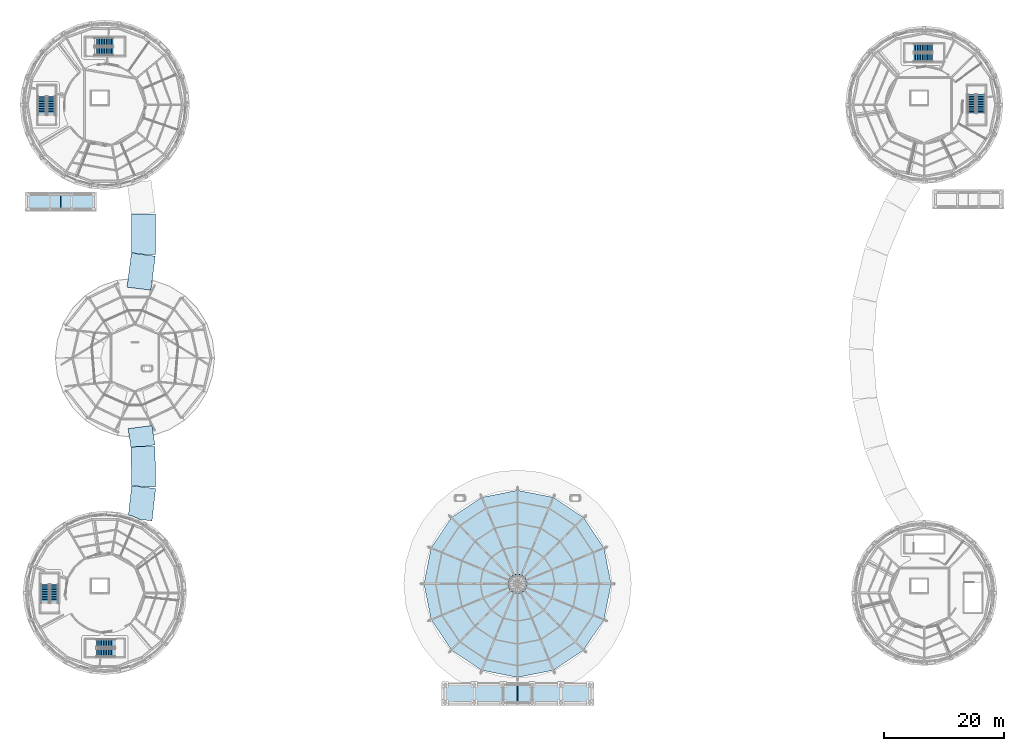
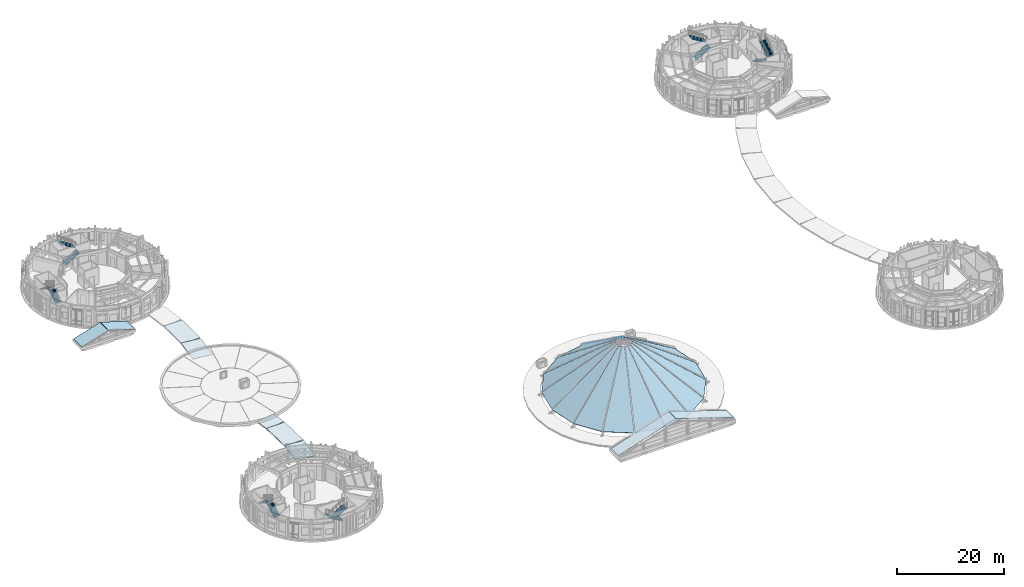
# One storey, part 44 of 58: 25 roofs, 12 stair flights, 6 elements without a shape of their own.
"""IFC4 building model written with IfcOpenShell, lengths in metres."""

from ifc_helpers import new_model, si_unit, direction, frame, origin, place, context, subcontext, project, spatial, polyline, outline, extrude, material, layer, layer_set, type_object, element, aggregate, save


model = new_model("IFC4")

# Units and contexts
model_context = context("Model", 3, precision=1e-05, world=origin(), true_north=direction((0.0, 1.0)))
body_context = subcontext(model_context, "Body", "Model", "MODEL_VIEW")
ifc_project = project(units=[si_unit("LENGTHUNIT", "METRE"), si_unit("AREAUNIT", "SQUARE_METRE"), si_unit("VOLUMEUNIT", "CUBIC_METRE"), si_unit("PLANEANGLEUNIT", "RADIAN"), si_unit("MASSUNIT", "GRAM", prefix="KILO")], contexts=[model_context])

# Site, building, storey
site_placement = place(None, origin())
site = spatial("IfcSite", under=ifc_project, at=site_placement, CompositionType="ELEMENT")
building_placement = place(site_placement, origin())
building = spatial("IfcBuilding", under=site, at=building_placement, Name="Aldenvaro Health Centre", CompositionType="ELEMENT")
storey_placement = place(building_placement, frame((0.0, 0.0, 8.75)))
storey = spatial("IfcBuildingStorey", under=building, at=storey_placement, Name="L02", CompositionType="ELEMENT", Elevation=8.75)

# Stair, stair flights
ifc_material_1 = material(Name="Concrete f'c 40 MPa", Category="concrete")
stair_type = type_object("IfcStairType", Name="STR-DOG-420", PredefinedType="HALF_TURN_STAIR", material=ifc_material_1)
stair_1_placement = place(storey_placement, origin())
stair_1 = element("IfcStair", 1, at=stair_1_placement, inside=storey, type_object=stair_type, Name="L02 Exit Stair ST-03", PredefinedType="HALF_TURN_STAIR")
stair_flight_type_1 = type_object("IfcStairFlightType", Name="STRF-01", PredefinedType="STRAIGHT", material=ifc_material_1)
stair_flight_1_placement = place(storey_placement, frame((162.375, 101.199951171875, 0.0), z_axis=(0.0, 0.0, 1.0), x_axis=(0.0, -1.0, 0.0)))
stair_flight_1 = element("IfcStairFlight", 2, at=stair_flight_1_placement, type_object=stair_flight_type_1, Name="ST-03 flight 1", NumberOfRisers=12, NumberOfTreads=11, PredefinedType="STRAIGHT", RiserHeight=0.175, TreadLength=0.28, context=body_context, shape_type="SweptSolid", body=[
    extrude(outline(polyline([(0.0, 0.0), (0.0, 0.175048828125), (0.280029296875, 0.175048828125), (0.280029296875, 0.35009765625), (0.56005859375, 0.35009765625), (0.56005859375, 0.52490234375), (0.840087890625, 0.52490234375), (0.840087890625, 0.699951171875), (1.1201171875, 0.699951171875), (1.1201171875, 0.875), (1.39990234375, 0.875), (1.39990234375, 1.050048828125), (1.679931640625, 1.050048828125), (1.679931640625, 1.22509765625), (1.9599609375, 1.22509765625), (1.9599609375, 1.39990234375), (2.239990234375, 1.39990234375), (2.239990234375, 1.574951171875), (2.52001953125, 1.574951171875), (2.52001953125, 1.75), (2.800048828125, 1.75), (2.800048828125, 1.925048828125), (3.080078125, 1.925048828125), (3.080078125, 2.10009765625), (3.080078125, 1.736328125), (0.3017578125, 0.0), (0.0, 0.0)])), frame((0.0, 0.675048828125, 0.0), z_axis=(0.0, -1.0, 0.0), x_axis=(1.0, 0.0, 0.0)), (0.0, 0.0, 1.0), 1.35009765625),
])
stair_flight_2_placement = place(storey_placement, frame((163.925048828125, 98.1201171875, 2.10009765625), z_axis=(0.0, 0.0, 1.0), x_axis=(0.0, 1.0, 0.0)))
stair_flight_2 = element("IfcStairFlight", 3, at=stair_flight_2_placement, type_object=stair_flight_type_1, Name="ST-03 flight 2", NumberOfRisers=12, NumberOfTreads=11, PredefinedType="STRAIGHT", RiserHeight=0.175, TreadLength=0.28, context=body_context, shape_type="SweptSolid", body=[
    extrude(outline(polyline([(0.0, 0.0), (0.0, 0.175048828125), (0.280029296875, 0.175048828125), (0.280029296875, 0.35009765625), (0.56005859375, 0.35009765625), (0.56005859375, 0.52490234375), (0.840087890625, 0.52490234375), (0.840087890625, 0.699951171875), (1.1201171875, 0.699951171875), (1.1201171875, 0.875), (1.39990234375, 0.875), (1.39990234375, 1.050048828125), (1.679931640625, 1.050048828125), (1.679931640625, 1.22509765625), (1.9599609375, 1.22509765625), (1.9599609375, 1.39990234375), (2.239990234375, 1.39990234375), (2.239990234375, 1.574951171875), (2.52001953125, 1.574951171875), (2.52001953125, 1.75), (2.800048828125, 1.75), (2.800048828125, 1.925048828125), (3.080078125, 1.925048828125), (3.080078125, 2.10009765625), (3.080078125, 1.736328125), (0.3017578125, 0.0), (0.0, 0.0)])), frame((0.0, 0.675048828125, 0.0), z_axis=(0.0, -1.0, 0.0), x_axis=(1.0, 0.0, 0.0)), (0.0, 0.0, 1.0), 1.35009765625),
])
aggregate(stair_1, [stair_flight_1, stair_flight_2])

stair_2_placement = place(storey_placement, origin())
stair_2 = element("IfcStair", 4, at=stair_2_placement, inside=storey, type_object=stair_type, Name="L02 Exit Stair ST-07", PredefinedType="HALF_TURN_STAIR")
stair_flight_3_placement = place(storey_placement, frame((16.800048828125, 108.375, 0.0), z_axis=(0.0, 0.0, 1.0), x_axis=(1.0, 0.0, 0.0)))
stair_flight_3 = element("IfcStairFlight", 5, at=stair_flight_3_placement, type_object=stair_flight_type_1, Name="ST-07 flight 1", NumberOfRisers=12, NumberOfTreads=11, PredefinedType="STRAIGHT", RiserHeight=0.175, TreadLength=0.28, context=body_context, shape_type="SweptSolid", body=[
    extrude(outline(polyline([(0.0, 0.0), (0.0, 0.175048828125), (0.280029296875, 0.175048828125), (0.280029296875, 0.35009765625), (0.56005859375, 0.35009765625), (0.56005859375, 0.52490234375), (0.840087890625, 0.52490234375), (0.840087890625, 0.699951171875), (1.1201171875, 0.699951171875), (1.1201171875, 0.875), (1.39990234375, 0.875), (1.39990234375, 1.050048828125), (1.679931640625, 1.050048828125), (1.679931640625, 1.22509765625), (1.9599609375, 1.22509765625), (1.9599609375, 1.39990234375), (2.239990234375, 1.39990234375), (2.239990234375, 1.574951171875), (2.52001953125, 1.574951171875), (2.52001953125, 1.75), (2.800048828125, 1.75), (2.800048828125, 1.925048828125), (3.080078125, 1.925048828125), (3.080078125, 2.10009765625), (3.080078125, 1.736328125), (0.3017578125, 0.0), (0.0, 0.0)])), frame((0.0, 0.675048828125, 0.0), z_axis=(0.0, -1.0, 0.0), x_axis=(1.0, 0.0, 0.0)), (0.0, 0.0, 1.0), 1.35009765625),
])
stair_flight_4_placement = place(storey_placement, frame((19.8798828125, 109.925048828125, 2.10009765625), z_axis=(0.0, 0.0, 1.0), x_axis=(-1.0, 0.0, 0.0)))
stair_flight_4 = element("IfcStairFlight", 6, at=stair_flight_4_placement, type_object=stair_flight_type_1, Name="ST-07 flight 2", NumberOfRisers=12, NumberOfTreads=11, PredefinedType="STRAIGHT", RiserHeight=0.175, TreadLength=0.28, context=body_context, shape_type="SweptSolid", body=[
    extrude(outline(polyline([(0.0, 0.0), (0.0, 0.175048828125), (0.280029296875, 0.175048828125), (0.280029296875, 0.35009765625), (0.56005859375, 0.35009765625), (0.56005859375, 0.52490234375), (0.840087890625, 0.52490234375), (0.840087890625, 0.699951171875), (1.1201171875, 0.699951171875), (1.1201171875, 0.875), (1.39990234375, 0.875), (1.39990234375, 1.050048828125), (1.679931640625, 1.050048828125), (1.679931640625, 1.22509765625), (1.9599609375, 1.22509765625), (1.9599609375, 1.39990234375), (2.239990234375, 1.39990234375), (2.239990234375, 1.574951171875), (2.52001953125, 1.574951171875), (2.52001953125, 1.75), (2.800048828125, 1.75), (2.800048828125, 1.925048828125), (3.080078125, 1.925048828125), (3.080078125, 2.10009765625), (3.080078125, 1.736328125), (0.3017578125, 0.0), (0.0, 0.0)])), frame((0.0, 0.675048828125, 0.0), z_axis=(0.0, -1.0, 0.0), x_axis=(1.0, 0.0, 0.0)), (0.0, 0.0, 1.0), 1.35009765625),
])
aggregate(stair_2, [stair_flight_3, stair_flight_4])

stair_3_placement = place(storey_placement, origin())
stair_3 = element("IfcStair", 7, at=stair_3_placement, inside=storey, type_object=stair_type, Name="L02 Exit Stair ST-09", PredefinedType="HALF_TURN_STAIR")
stair_flight_5_placement = place(storey_placement, frame((10.125, 16.800048828125, 0.0), z_axis=(0.0, 0.0, 1.0), x_axis=(0.0, 1.0, 0.0)))
stair_flight_5 = element("IfcStairFlight", 8, at=stair_flight_5_placement, type_object=stair_flight_type_1, Name="ST-09 flight 1", NumberOfRisers=12, NumberOfTreads=11, PredefinedType="STRAIGHT", RiserHeight=0.175, TreadLength=0.28, context=body_context, shape_type="SweptSolid", body=[
    extrude(outline(polyline([(0.0, 0.0), (0.0, 0.175048828125), (0.280029296875, 0.175048828125), (0.280029296875, 0.35009765625), (0.56005859375, 0.35009765625), (0.56005859375, 0.52490234375), (0.840087890625, 0.52490234375), (0.840087890625, 0.699951171875), (1.1201171875, 0.699951171875), (1.1201171875, 0.875), (1.39990234375, 0.875), (1.39990234375, 1.050048828125), (1.679931640625, 1.050048828125), (1.679931640625, 1.22509765625), (1.9599609375, 1.22509765625), (1.9599609375, 1.39990234375), (2.239990234375, 1.39990234375), (2.239990234375, 1.574951171875), (2.52001953125, 1.574951171875), (2.52001953125, 1.75), (2.800048828125, 1.75), (2.800048828125, 1.925048828125), (3.080078125, 1.925048828125), (3.080078125, 2.10009765625), (3.080078125, 1.736328125), (0.3017578125, 0.0), (0.0, 0.0)])), frame((0.0, 0.675048828125, 0.0), z_axis=(0.0, -1.0, 0.0), x_axis=(1.0, 0.0, 0.0)), (0.0, 0.0, 1.0), 1.35009765625),
])
stair_flight_6_placement = place(storey_placement, frame((8.574951171875, 19.8798828125, 2.10009765625), z_axis=(0.0, 0.0, 1.0), x_axis=(0.0, -1.0, 0.0)))
stair_flight_6 = element("IfcStairFlight", 9, at=stair_flight_6_placement, type_object=stair_flight_type_1, Name="ST-09 flight 2", NumberOfRisers=12, NumberOfTreads=11, PredefinedType="STRAIGHT", RiserHeight=0.175, TreadLength=0.28, context=body_context, shape_type="SweptSolid", body=[
    extrude(outline(polyline([(0.0, 0.0), (0.0, 0.175048828125), (0.280029296875, 0.175048828125), (0.280029296875, 0.35009765625), (0.56005859375, 0.35009765625), (0.56005859375, 0.52490234375), (0.840087890625, 0.52490234375), (0.840087890625, 0.699951171875), (1.1201171875, 0.699951171875), (1.1201171875, 0.875), (1.39990234375, 0.875), (1.39990234375, 1.050048828125), (1.679931640625, 1.050048828125), (1.679931640625, 1.22509765625), (1.9599609375, 1.22509765625), (1.9599609375, 1.39990234375), (2.239990234375, 1.39990234375), (2.239990234375, 1.574951171875), (2.52001953125, 1.574951171875), (2.52001953125, 1.75), (2.800048828125, 1.75), (2.800048828125, 1.925048828125), (3.080078125, 1.925048828125), (3.080078125, 2.10009765625), (3.080078125, 1.736328125), (0.3017578125, 0.0), (0.0, 0.0)])), frame((0.0, 0.675048828125, 0.0), z_axis=(0.0, -1.0, 0.0), x_axis=(1.0, 0.0, 0.0)), (0.0, 0.0, 1.0), 1.35009765625),
])
aggregate(stair_3, [stair_flight_5, stair_flight_6])

stair_4_placement = place(storey_placement, origin())
stair_4 = element("IfcStair", 10, at=stair_4_placement, inside=storey, type_object=stair_type, Name="L02 Exit Stair ST-04", PredefinedType="HALF_TURN_STAIR")
stair_flight_type_2 = type_object("IfcStairFlightType", Name="STRF-02", PredefinedType="STRAIGHT", material=ifc_material_1)
stair_flight_7_placement = place(storey_placement, frame((152.800048828125, 107.375, 0.0), z_axis=(0.0, 0.0, 1.0), x_axis=(1.0, 0.0, 0.0)))
stair_flight_7 = element("IfcStairFlight", 11, at=stair_flight_7_placement, type_object=stair_flight_type_2, Name="ST-04 flight 1", NumberOfRisers=12, NumberOfTreads=11, PredefinedType="STRAIGHT", RiserHeight=0.175, TreadLength=0.28, context=body_context, shape_type="SweptSolid", body=[
    extrude(outline(polyline([(0.0, 0.0), (0.0, 0.175048828125), (0.280029296875, 0.175048828125), (0.280029296875, 0.35009765625), (0.56005859375, 0.35009765625), (0.56005859375, 0.52490234375), (0.840087890625, 0.52490234375), (0.840087890625, 0.699951171875), (1.1201171875, 0.699951171875), (1.1201171875, 0.875), (1.39990234375, 0.875), (1.39990234375, 1.050048828125), (1.679931640625, 1.050048828125), (1.679931640625, 1.22509765625), (1.9599609375, 1.22509765625), (1.9599609375, 1.39990234375), (2.239990234375, 1.39990234375), (2.239990234375, 1.574951171875), (2.52001953125, 1.574951171875), (2.52001953125, 1.75), (2.800048828125, 1.75), (2.800048828125, 1.925048828125), (3.080078125, 1.925048828125), (3.080078125, 2.10009765625), (3.080078125, 1.736328125), (0.3017578125, 0.0), (0.0, 0.0)])), frame((0.0, 0.675048828125, 0.0), z_axis=(0.0, -1.0, 0.0), x_axis=(1.0, 0.0, 0.0)), (0.0, 0.0, 1.0), 1.35009765625),
])
stair_flight_8_placement = place(storey_placement, frame((155.8798828125, 108.925048828125, 2.10009765625), z_axis=(0.0, 0.0, 1.0), x_axis=(-1.0, 0.0, 0.0)))
stair_flight_8 = element("IfcStairFlight", 12, at=stair_flight_8_placement, type_object=stair_flight_type_2, Name="ST-04 flight 2", NumberOfRisers=12, NumberOfTreads=11, PredefinedType="STRAIGHT", RiserHeight=0.175, TreadLength=0.28, context=body_context, shape_type="SweptSolid", body=[
    extrude(outline(polyline([(0.0, 0.0), (0.0, 0.175048828125), (0.280029296875, 0.175048828125), (0.280029296875, 0.35009765625), (0.56005859375, 0.35009765625), (0.56005859375, 0.52490234375), (0.840087890625, 0.52490234375), (0.840087890625, 0.699951171875), (1.1201171875, 0.699951171875), (1.1201171875, 0.875), (1.39990234375, 0.875), (1.39990234375, 1.050048828125), (1.679931640625, 1.050048828125), (1.679931640625, 1.22509765625), (1.9599609375, 1.22509765625), (1.9599609375, 1.39990234375), (2.239990234375, 1.39990234375), (2.239990234375, 1.574951171875), (2.52001953125, 1.574951171875), (2.52001953125, 1.75), (2.800048828125, 1.75), (2.800048828125, 1.925048828125), (3.080078125, 1.925048828125), (3.080078125, 2.10009765625), (3.080078125, 1.736328125), (0.3017578125, 0.0), (0.0, 0.0)])), frame((0.0, 0.675048828125, 0.0), z_axis=(0.0, -1.0, 0.0), x_axis=(1.0, 0.0, 0.0)), (0.0, 0.0, 1.0), 1.35009765625),
])
aggregate(stair_4, [stair_flight_7, stair_flight_8])

stair_5_placement = place(storey_placement, origin())
stair_5 = element("IfcStair", 13, at=stair_5_placement, inside=storey, type_object=stair_type, Name="L02 Exit Stair ST-08", PredefinedType="HALF_TURN_STAIR")
stair_flight_9_placement = place(storey_placement, frame((9.625, 97.800048828125, 0.0), z_axis=(0.0, 0.0, 1.0), x_axis=(0.0, 1.0, 0.0)))
stair_flight_9 = element("IfcStairFlight", 14, at=stair_flight_9_placement, type_object=stair_flight_type_2, Name="ST-08 flight 1", NumberOfRisers=12, NumberOfTreads=11, PredefinedType="STRAIGHT", RiserHeight=0.175, TreadLength=0.28, context=body_context, shape_type="SweptSolid", body=[
    extrude(outline(polyline([(0.0, 0.0), (0.0, 0.175048828125), (0.280029296875, 0.175048828125), (0.280029296875, 0.35009765625), (0.56005859375, 0.35009765625), (0.56005859375, 0.52490234375), (0.840087890625, 0.52490234375), (0.840087890625, 0.699951171875), (1.1201171875, 0.699951171875), (1.1201171875, 0.875), (1.39990234375, 0.875), (1.39990234375, 1.050048828125), (1.679931640625, 1.050048828125), (1.679931640625, 1.22509765625), (1.9599609375, 1.22509765625), (1.9599609375, 1.39990234375), (2.239990234375, 1.39990234375), (2.239990234375, 1.574951171875), (2.52001953125, 1.574951171875), (2.52001953125, 1.75), (2.800048828125, 1.75), (2.800048828125, 1.925048828125), (3.080078125, 1.925048828125), (3.080078125, 2.10009765625), (3.080078125, 1.736328125), (0.3017578125, 0.0), (0.0, 0.0)])), frame((0.0, 0.675048828125, 0.0), z_axis=(0.0, -1.0, 0.0), x_axis=(1.0, 0.0, 0.0)), (0.0, 0.0, 1.0), 1.35009765625),
])
stair_flight_10_placement = place(storey_placement, frame((8.074951171875, 100.8798828125, 2.10009765625), z_axis=(0.0, 0.0, 1.0), x_axis=(0.0, -1.0, 0.0)))
stair_flight_10 = element("IfcStairFlight", 15, at=stair_flight_10_placement, type_object=stair_flight_type_2, Name="ST-08 flight 2", NumberOfRisers=12, NumberOfTreads=11, PredefinedType="STRAIGHT", RiserHeight=0.175, TreadLength=0.28, context=body_context, shape_type="SweptSolid", body=[
    extrude(outline(polyline([(0.0, 0.0), (0.0, 0.175048828125), (0.280029296875, 0.175048828125), (0.280029296875, 0.35009765625), (0.56005859375, 0.35009765625), (0.56005859375, 0.52490234375), (0.840087890625, 0.52490234375), (0.840087890625, 0.699951171875), (1.1201171875, 0.699951171875), (1.1201171875, 0.875), (1.39990234375, 0.875), (1.39990234375, 1.050048828125), (1.679931640625, 1.050048828125), (1.679931640625, 1.22509765625), (1.9599609375, 1.22509765625), (1.9599609375, 1.39990234375), (2.239990234375, 1.39990234375), (2.239990234375, 1.574951171875), (2.52001953125, 1.574951171875), (2.52001953125, 1.75), (2.800048828125, 1.75), (2.800048828125, 1.925048828125), (3.080078125, 1.925048828125), (3.080078125, 2.10009765625), (3.080078125, 1.736328125), (0.3017578125, 0.0), (0.0, 0.0)])), frame((0.0, 0.675048828125, 0.0), z_axis=(0.0, -1.0, 0.0), x_axis=(1.0, 0.0, 0.0)), (0.0, 0.0, 1.0), 1.35009765625),
])
aggregate(stair_5, [stair_flight_9, stair_flight_10])

stair_6_placement = place(storey_placement, origin())
stair_6 = element("IfcStair", 16, at=stair_6_placement, inside=storey, type_object=stair_type, Name="L02 Exit Stair ST-10", PredefinedType="HALF_TURN_STAIR")
stair_flight_11_placement = place(storey_placement, frame((20.199951171875, 10.125, 0.0), z_axis=(0.0, 0.0, 1.0), x_axis=(-1.0, 0.0, 0.0)))
stair_flight_11 = element("IfcStairFlight", 17, at=stair_flight_11_placement, type_object=stair_flight_type_2, Name="ST-10 flight 1", NumberOfRisers=12, NumberOfTreads=11, PredefinedType="STRAIGHT", RiserHeight=0.175, TreadLength=0.28, context=body_context, shape_type="SweptSolid", body=[
    extrude(outline(polyline([(0.0, 0.0), (0.0, 0.175048828125), (0.280029296875, 0.175048828125), (0.280029296875, 0.35009765625), (0.56005859375, 0.35009765625), (0.56005859375, 0.52490234375), (0.840087890625, 0.52490234375), (0.840087890625, 0.699951171875), (1.1201171875, 0.699951171875), (1.1201171875, 0.875), (1.39990234375, 0.875), (1.39990234375, 1.050048828125), (1.679931640625, 1.050048828125), (1.679931640625, 1.22509765625), (1.9599609375, 1.22509765625), (1.9599609375, 1.39990234375), (2.239990234375, 1.39990234375), (2.239990234375, 1.574951171875), (2.52001953125, 1.574951171875), (2.52001953125, 1.75), (2.800048828125, 1.75), (2.800048828125, 1.925048828125), (3.080078125, 1.925048828125), (3.080078125, 2.10009765625), (3.080078125, 1.736328125), (0.3017578125, 0.0), (0.0, 0.0)])), frame((0.0, 0.675048828125, 0.0), z_axis=(0.0, -1.0, 0.0), x_axis=(1.0, 0.0, 0.0)), (0.0, 0.0, 1.0), 1.35009765625),
])
stair_flight_12_placement = place(storey_placement, frame((17.1201171875, 8.574951171875, 2.10009765625), z_axis=(0.0, 0.0, 1.0), x_axis=(1.0, 0.0, 0.0)))
stair_flight_12 = element("IfcStairFlight", 18, at=stair_flight_12_placement, type_object=stair_flight_type_2, Name="ST-10 flight 2", NumberOfRisers=12, NumberOfTreads=11, PredefinedType="STRAIGHT", RiserHeight=0.175, TreadLength=0.28, context=body_context, shape_type="SweptSolid", body=[
    extrude(outline(polyline([(0.0, 0.0), (0.0, 0.175048828125), (0.280029296875, 0.175048828125), (0.280029296875, 0.35009765625), (0.56005859375, 0.35009765625), (0.56005859375, 0.52490234375), (0.840087890625, 0.52490234375), (0.840087890625, 0.699951171875), (1.1201171875, 0.699951171875), (1.1201171875, 0.875), (1.39990234375, 0.875), (1.39990234375, 1.050048828125), (1.679931640625, 1.050048828125), (1.679931640625, 1.22509765625), (1.9599609375, 1.22509765625), (1.9599609375, 1.39990234375), (2.239990234375, 1.39990234375), (2.239990234375, 1.574951171875), (2.52001953125, 1.574951171875), (2.52001953125, 1.75), (2.800048828125, 1.75), (2.800048828125, 1.925048828125), (3.080078125, 1.925048828125), (3.080078125, 2.10009765625), (3.080078125, 1.736328125), (0.3017578125, 0.0), (0.0, 0.0)])), frame((0.0, 0.675048828125, 0.0), z_axis=(0.0, -1.0, 0.0), x_axis=(1.0, 0.0, 0.0)), (0.0, 0.0, 1.0), 1.35009765625),
])
aggregate(stair_6, [stair_flight_11, stair_flight_12])

# Roofs
ifc_layer_1 = layer(ifc_material_1, 0.205078125, Name="Concrete f'c 40 MPa", Category="concrete")
ifc_layer_set_1 = layer_set([ifc_layer_1], Name="Concrete f'c 40 MPa")
roof_type_1 = type_object("IfcRoofType", Name="RF-FLAT-205", PredefinedType="FLAT_ROOF", material=ifc_layer_set_1)
roof_1_placement = place(storey_placement, origin())
element("IfcRoof", 19, at=roof_1_placement, inside=storey, type_object=roof_type_1, Name="West South Curved Garden Walkway Arc 1 flat roof", PredefinedType="FLAT_ROOF", context=body_context, shape_type="SweptSolid", body=[
    extrude(outline(polyline([(22.955078125, 36.278076171875), (26.930908203125, 35.8359375), (26.3330078125, 30.447998046875), (24.344970703125, 30.6689453125), (23.134033203125, 31.23291015625), (22.416015625, 31.425048828125), (22.955078125, 36.278076171875)])), origin(), (0.0, 0.0, 1.0), 0.06005859375),
])
roof_2_placement = place(storey_placement, origin())
element("IfcRoof", 20, at=roof_2_placement, inside=storey, type_object=roof_type_1, Name="West South Curved Garden Walkway Arc 2 flat roof", PredefinedType="FLAT_ROOF", context=body_context, shape_type="SweptSolid", body=[
    extrude(outline(polyline([(22.825927734375, 42.736083984375), (26.825927734375, 42.805908203125), (26.943115234375, 36.092041015625), (25.256103515625, 36.06201171875), (22.93798828125, 36.320068359375), (22.825927734375, 42.736083984375)])), origin(), (0.0, 0.0, 1.0), 0.06005859375),
])
roof_3_placement = place(storey_placement, origin())
element("IfcRoof", 21, at=roof_3_placement, inside=storey, type_object=roof_type_1, Name="West South Curved Garden Walkway Arc 3 flat roof", PredefinedType="FLAT_ROOF", context=body_context, shape_type="SweptSolid", body=[
    extrude(outline(polyline([(26.804931640625, 43.06103515625), (25.135986328125, 42.81591796875), (22.803955078125, 42.77587890625), (22.367919921875, 45.756103515625), (26.070068359375, 46.239990234375), (26.325927734375, 46.330078125), (26.804931640625, 43.06103515625)])), origin(), (0.0, 0.0, 1.0), 0.06005859375),
])
roof_4_placement = place(storey_placement, origin())
element("IfcRoof", 22, at=roof_4_placement, inside=storey, type_object=roof_type_1, Name="West North Curved Garden Walkway Arc 1 flat roof", PredefinedType="FLAT_ROOF", context=body_context, shape_type="SweptSolid", body=[
    extrude(outline(polyline([(22.178955078125, 69.23095703125), (22.908935546875, 74.89892578125), (26.876953125, 74.386962890625), (26.14794921875, 68.73291015625), (22.178955078125, 69.23095703125)])), origin(), (0.0, 0.0, 1.0), 0.06005859375),
])
roof_5_placement = place(storey_placement, origin())
element("IfcRoof", 23, at=roof_5_placement, inside=storey, type_object=roof_type_1, Name="West North Curved Garden Walkway Arc 2 flat roof", PredefinedType="FLAT_ROOF", context=body_context, shape_type="SweptSolid", body=[
    extrude(outline(polyline([(22.89306640625, 81.35693359375), (26.89306640625, 81.35693359375), (26.89306640625, 74.64306640625), (25.2060546875, 74.64306640625), (22.89306640625, 74.94091796875), (22.89306640625, 81.35693359375)])), origin(), (0.0, 0.0, 1.0), 0.06005859375),
])
ifc_material_2 = material(Name="Cross-laminated timber CLT E1", Category="wood")
ifc_layer_2 = layer(ifc_material_2, 0.239990234375, Name="Cross-laminated timber CLT E1", Category="wood")
ifc_layer_set_2 = layer_set([ifc_layer_2], Name="Cross-laminated timber CLT E1")
roof_type_2 = type_object("IfcRoofType", Name="RF-HIP-240", PredefinedType="HIP_ROOF", material=ifc_layer_set_2)
for number, where, z_axis, x_axis, name in (
    (24, (5.419921875, 81.85009765625, 1.06494140625), (-0.297240682512, 0.0, 0.954802585177), (0.954802585177, 0.0, 0.297240682512), "Bastion Portico N4 Terracotta Pediment Roof W"),
    (25, (11.22998046875, 81.85009765625, 2.85498046875), (0.297240682512, 0.0, 0.954802585177), (0.954802585177, 0.0, -0.297240682512), "Bastion Portico N4 Terracotta Pediment Roof E"),
):
    element("IfcRoof", number, at=place(storey_placement, frame(where, z_axis=z_axis, x_axis=x_axis)), inside=storey, type_object=roof_type_2, Name=name, PredefinedType="HIP_ROOF", context=body_context, shape_type="SweptSolid", body=[
        extrude(outline(polyline([(0.0, 0.0), (6.022187297425734, 0.0), (6.022187297425734, 3.099853515625), (0.0, 3.099853515625), (0.0, 0.0)])), origin(), (0.0, 0.0, -1.0), 0.054931640625),
    ])
for number, where, z_axis, x_axis, name in (
    (26, (74.550048828125, 0.35009765625, 1.429931640625), (-0.312555972438, 0.0, 0.94989934419), (0.94989934419, 0.0, 0.312555972438), "Neoclassical Portico West Pediment Slope Terracotta Pediment Roof"),
    (27, (87.050048828125, 0.35009765625, 5.510009765625), (0.312555972438, 0.0, 0.94989934419), (0.94989934419, 0.0, -0.312555972438), "Neoclassical Portico East Pediment Slope Terracotta Pediment Roof"),
):
    element("IfcRoof", number, at=place(storey_placement, frame(where, z_axis=z_axis, x_axis=x_axis)), inside=storey, type_object=roof_type_2, Name=name, PredefinedType="HIP_ROOF", context=body_context, shape_type="SweptSolid", body=[
        extrude(outline(polyline([(0.0, 0.0), (13.053911890335412, 0.0), (13.053911890335412, 2.760009765625), (0.0, 2.760009765625), (0.0, 0.0)])), origin(), (0.0, 0.0, -1.0), 0.06005859375),
    ])
ifc_layer_3 = layer(ifc_material_2, 0.280029296875, Name="Cross-laminated timber CLT E1", Category="wood")
ifc_layer_set_3 = layer_set([ifc_layer_3], Name="Cross-laminated timber CLT E1")
roof_type_3 = type_object("IfcRoofType", Name="RF-TRUSS-280", PredefinedType="GABLE_ROOF", material=ifc_layer_set_3)
roof_6_placement = place(storey_placement, frame((102.52001953125, 20.075927734375, 1.12109375), z_axis=(0.582438241072, 0.115944333114, 0.804563612746), x_axis=(-0.195224377282, 0.980758605587, -9.022968e-06)))
element("IfcRoof", 28, at=roof_6_placement, inside=storey, type_object=roof_type_3, Name="Waiting Rotunda Conical Standing-Seam Roof 01", PredefinedType="GABLE_ROOF", context=body_context, shape_type="SweptSolid", body=[
    extrude(outline(polyline([(0.0, 0.0), (5.906612531073507, -1.1102230246251565e-16), (3.257481591593891, 16.99712631904609), (2.652805993064616, 16.997027389152397), (0.0, 0.0)])), origin(), (0.0, 0.0, -1.0), 0.054931640625),
])
roof_7_placement = place(storey_placement, frame((101.30908203125, 26.009033203125, 1.12109375), z_axis=(0.493817172642, 0.329879400778, 0.80456459091), x_axis=(-0.555462345064, 0.831541690481, -1.4454811e-05)))
element("IfcRoof", 29, at=roof_7_placement, inside=storey, type_object=roof_type_3, Name="Waiting Rotunda Conical Standing-Seam Roof 02", PredefinedType="GABLE_ROOF", context=body_context, shape_type="SweptSolid", body=[
    extrude(outline(polyline([(0.0, 0.0), (5.906895929221431, 0.0), (3.2540504435387816, 16.997193962458763), (2.649107198533209, 16.997035462828197), (0.0, 0.0)])), origin(), (0.0, 0.0, -1.0), 0.054931640625),
])
roof_8_placement = place(storey_placement, frame((97.9208984375, 31.028076171875, 1.12109375), z_axis=(0.329879400778, 0.493817172642, 0.80456459091), x_axis=(-0.831541690481, 0.555462345064, 1.4454811e-05)))
element("IfcRoof", 30, at=roof_8_placement, inside=storey, type_object=roof_type_3, Name="Waiting Rotunda Conical Standing-Seam Roof 03", PredefinedType="GABLE_ROOF", context=body_context, shape_type="SweptSolid", body=[
    extrude(outline(polyline([(0.0, 0.0), (5.906895929221431, 0.0), (3.2577887306882203, 16.997035462828197), (2.6528454856826484, 16.997193962458763), (0.0, 0.0)])), origin(), (0.0, 0.0, -1.0), 0.054931640625),
])
roof_9_placement = place(storey_placement, frame((92.868896484375, 34.366943359375, 1.12109375), z_axis=(0.115944333114, 0.582438241072, 0.804563612746), x_axis=(-0.980758605587, 0.195224377282, 9.022968e-06)))
element("IfcRoof", 31, at=roof_9_placement, inside=storey, type_object=roof_type_3, Name="Waiting Rotunda Conical Standing-Seam Roof 04", PredefinedType="GABLE_ROOF", context=body_context, shape_type="SweptSolid", body=[
    extrude(outline(polyline([(0.0, 0.0), (5.906612531073507, 1.1102230246251565e-16), (3.253806538008891, 16.997027389152397), (2.649130939479616, 16.99712631904609), (0.0, 0.0)])), origin(), (0.0, 0.0, -1.0), 0.054931640625),
])
roof_10_placement = place(storey_placement, frame((86.924072265625, 35.52001953125, 1.12109375), z_axis=(-0.115944333114, 0.582438241072, 0.804563612746), x_axis=(-0.980758605587, -0.195224377282, -9.022968e-06)))
element("IfcRoof", 32, at=roof_10_placement, inside=storey, type_object=roof_type_3, Name="Waiting Rotunda Conical Standing-Seam Roof 05", PredefinedType="GABLE_ROOF", context=body_context, shape_type="SweptSolid", body=[
    extrude(outline(polyline([(0.0, 0.0), (5.906612531073507, -1.1102230246251565e-16), (3.257481591593891, 16.99712631904609), (2.652805993064616, 16.997027389152397), (0.0, 0.0)])), origin(), (0.0, 0.0, -1.0), 0.054931640625),
])
roof_11_placement = place(storey_placement, frame((80.990966796875, 34.30908203125, 1.12109375), z_axis=(-0.329879400778, 0.493817172642, 0.80456459091), x_axis=(-0.831541690481, -0.555462345064, -1.4454811e-05)))
element("IfcRoof", 33, at=roof_11_placement, inside=storey, type_object=roof_type_3, Name="Waiting Rotunda Conical Standing-Seam Roof 06", PredefinedType="GABLE_ROOF", context=body_context, shape_type="SweptSolid", body=[
    extrude(outline(polyline([(0.0, 0.0), (5.906895929221431, 0.0), (3.2540504435387816, 16.997193962458763), (2.649107198533209, 16.997035462828197), (0.0, 0.0)])), origin(), (0.0, 0.0, -1.0), 0.054931640625),
])
roof_12_placement = place(storey_placement, frame((75.971923828125, 30.9208984375, 1.12109375), z_axis=(-0.493817172642, 0.329879400778, 0.80456459091), x_axis=(-0.555462345064, -0.831541690481, 1.4454811e-05)))
element("IfcRoof", 34, at=roof_12_placement, inside=storey, type_object=roof_type_3, Name="Waiting Rotunda Conical Standing-Seam Roof 07", PredefinedType="GABLE_ROOF", context=body_context, shape_type="SweptSolid", body=[
    extrude(outline(polyline([(0.0, 0.0), (5.906895929221431, 0.0), (3.2577887306882203, 16.997035462828197), (2.6528454856826484, 16.997193962458763), (0.0, 0.0)])), origin(), (0.0, 0.0, -1.0), 0.054931640625),
])
roof_13_placement = place(storey_placement, frame((72.633056640625, 25.868896484375, 1.12109375), z_axis=(-0.582438241072, 0.115944333114, 0.804563612746), x_axis=(-0.195224377282, -0.980758605587, 9.022968e-06)))
element("IfcRoof", 35, at=roof_13_placement, inside=storey, type_object=roof_type_3, Name="Waiting Rotunda Conical Standing-Seam Roof 08", PredefinedType="GABLE_ROOF", context=body_context, shape_type="SweptSolid", body=[
    extrude(outline(polyline([(0.0, 0.0), (5.906612531073507, 1.1102230246251565e-16), (3.253806538008891, 16.997027389152397), (2.649130939479616, 16.99712631904609), (0.0, 0.0)])), origin(), (0.0, 0.0, -1.0), 0.054931640625),
])
roof_14_placement = place(storey_placement, frame((71.47998046875, 19.924072265625, 1.12109375), z_axis=(-0.582438241072, -0.115944333114, 0.804563612746), x_axis=(0.195224377282, -0.980758605587, -9.022968e-06)))
element("IfcRoof", 36, at=roof_14_placement, inside=storey, type_object=roof_type_3, Name="Waiting Rotunda Conical Standing-Seam Roof 09", PredefinedType="GABLE_ROOF", context=body_context, shape_type="SweptSolid", body=[
    extrude(outline(polyline([(0.0, 0.0), (5.906612531073507, -1.1102230246251565e-16), (3.257481591593891, 16.99712631904609), (2.652805993064616, 16.997027389152397), (0.0, 0.0)])), origin(), (0.0, 0.0, -1.0), 0.054931640625),
])
roof_15_placement = place(storey_placement, frame((72.69091796875, 13.990966796875, 1.12109375), z_axis=(-0.493817172642, -0.329879400778, 0.80456459091), x_axis=(0.555462345064, -0.831541690481, -1.4454811e-05)))
element("IfcRoof", 37, at=roof_15_placement, inside=storey, type_object=roof_type_3, Name="Waiting Rotunda Conical Standing-Seam Roof 10", PredefinedType="GABLE_ROOF", context=body_context, shape_type="SweptSolid", body=[
    extrude(outline(polyline([(0.0, 0.0), (5.906895929221431, 0.0), (3.2540504435387816, 16.997193962458763), (2.649107198533209, 16.997035462828197), (0.0, 0.0)])), origin(), (0.0, 0.0, -1.0), 0.054931640625),
])
roof_16_placement = place(storey_placement, frame((76.0791015625, 8.971923828125, 1.12109375), z_axis=(-0.329879400778, -0.493817172642, 0.80456459091), x_axis=(0.831541690481, -0.555462345064, 1.4454811e-05)))
element("IfcRoof", 38, at=roof_16_placement, inside=storey, type_object=roof_type_3, Name="Waiting Rotunda Conical Standing-Seam Roof 11", PredefinedType="GABLE_ROOF", context=body_context, shape_type="SweptSolid", body=[
    extrude(outline(polyline([(0.0, 0.0), (5.906895929221431, 0.0), (3.2577887306882203, 16.997035462828197), (2.6528454856826484, 16.997193962458763), (0.0, 0.0)])), origin(), (0.0, 0.0, -1.0), 0.054931640625),
])
roof_17_placement = place(storey_placement, frame((81.131103515625, 5.633056640625, 1.12109375), z_axis=(-0.115944333114, -0.582438241072, 0.804563612746), x_axis=(0.980758605587, -0.195224377282, 9.022968e-06)))
element("IfcRoof", 39, at=roof_17_placement, inside=storey, type_object=roof_type_3, Name="Waiting Rotunda Conical Standing-Seam Roof 12", PredefinedType="GABLE_ROOF", context=body_context, shape_type="SweptSolid", body=[
    extrude(outline(polyline([(0.0, 0.0), (5.906612531073507, 1.1102230246251565e-16), (3.253806538008891, 16.997027389152397), (2.649130939479616, 16.99712631904609), (0.0, 0.0)])), origin(), (0.0, 0.0, -1.0), 0.054931640625),
])
roof_18_placement = place(storey_placement, frame((87.075927734375, 4.47998046875, 1.12109375), z_axis=(0.115944333114, -0.582438241072, 0.804563612746), x_axis=(0.980758605587, 0.195224377282, -9.022968e-06)))
element("IfcRoof", 40, at=roof_18_placement, inside=storey, type_object=roof_type_3, Name="Waiting Rotunda Conical Standing-Seam Roof 13", PredefinedType="GABLE_ROOF", context=body_context, shape_type="SweptSolid", body=[
    extrude(outline(polyline([(0.0, 0.0), (5.906612531073507, -1.1102230246251565e-16), (3.257481591593891, 16.99712631904609), (2.652805993064616, 16.997027389152397), (0.0, 0.0)])), origin(), (0.0, 0.0, -1.0), 0.054931640625),
])
roof_19_placement = place(storey_placement, frame((93.009033203125, 5.69091796875, 1.12109375), z_axis=(0.329879400778, -0.493817172642, 0.80456459091), x_axis=(0.831541690481, 0.555462345064, -1.4454811e-05)))
element("IfcRoof", 41, at=roof_19_placement, inside=storey, type_object=roof_type_3, Name="Waiting Rotunda Conical Standing-Seam Roof 14", PredefinedType="GABLE_ROOF", context=body_context, shape_type="SweptSolid", body=[
    extrude(outline(polyline([(0.0, 0.0), (5.906895929221431, 0.0), (3.2540504435387816, 16.997193962458763), (2.649107198533209, 16.997035462828197), (0.0, 0.0)])), origin(), (0.0, 0.0, -1.0), 0.054931640625),
])
roof_20_placement = place(storey_placement, frame((98.028076171875, 9.0791015625, 1.12109375), z_axis=(0.493817172642, -0.329879400778, 0.80456459091), x_axis=(0.555462345064, 0.831541690481, 1.4454811e-05)))
element("IfcRoof", 42, at=roof_20_placement, inside=storey, type_object=roof_type_3, Name="Waiting Rotunda Conical Standing-Seam Roof 15", PredefinedType="GABLE_ROOF", context=body_context, shape_type="SweptSolid", body=[
    extrude(outline(polyline([(0.0, 0.0), (5.906895929221431, 0.0), (3.2577887306882203, 16.997035462828197), (2.6528454856826484, 16.997193962458763), (0.0, 0.0)])), origin(), (0.0, 0.0, -1.0), 0.054931640625),
])
roof_21_placement = place(storey_placement, frame((101.366943359375, 14.131103515625, 1.12109375), z_axis=(0.582438241072, -0.115944333114, 0.804563612746), x_axis=(0.195224377282, 0.980758605587, 9.022968e-06)))
element("IfcRoof", 43, at=roof_21_placement, inside=storey, type_object=roof_type_3, Name="Waiting Rotunda Conical Standing-Seam Roof 16", PredefinedType="GABLE_ROOF", context=body_context, shape_type="SweptSolid", body=[
    extrude(outline(polyline([(0.0, 0.0), (5.906612531073507, 1.1102230246251565e-16), (3.253806538008891, 16.997027389152397), (2.649130939479616, 16.99712631904609), (0.0, 0.0)])), origin(), (0.0, 0.0, -1.0), 0.054931640625),
])

save(model, "model.ifc")
